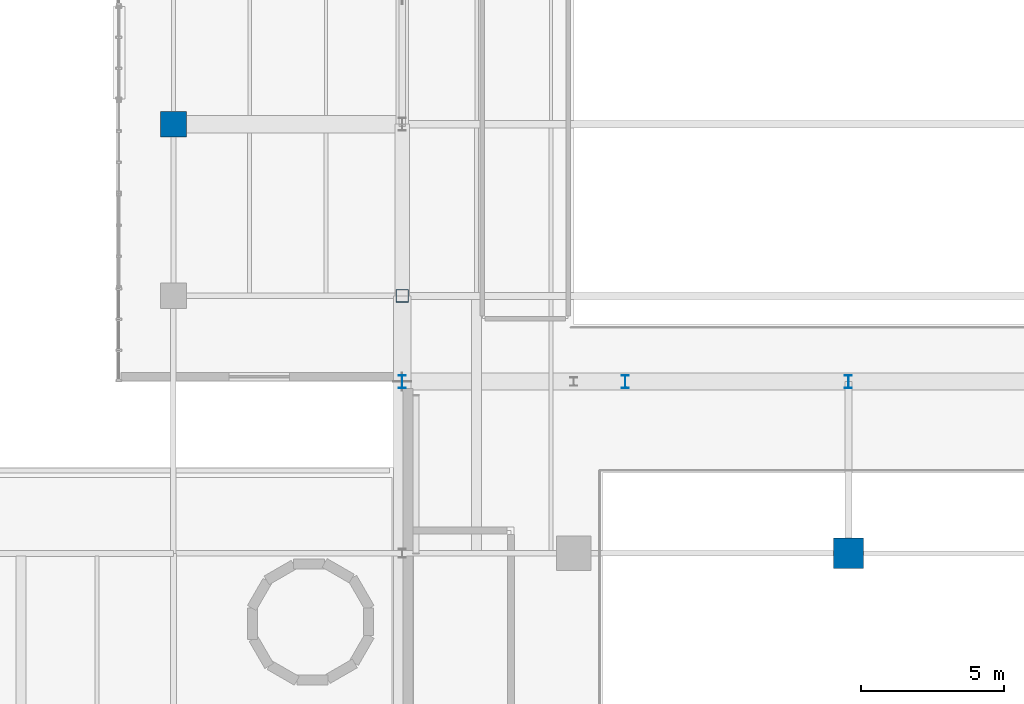
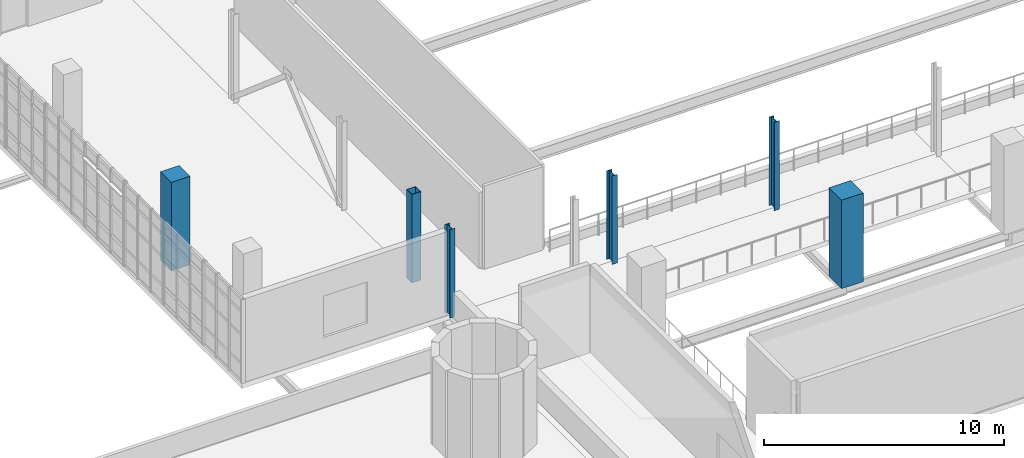
# One storey, part 2 of 85: 6 columns.
"""IFC4 building model written with IfcOpenShell, lengths in metres."""

from ifc_helpers import new_model, si_unit, derived_unit, direction, frame, origin, origin_2d, place, context, subcontext, project, spatial, rectangle, hollow_rectangle, i_section, extrude, material, material_profile, profile_set, type_object, element, save


model = new_model("IFC4")

# Units and contexts
model_context = context("Model", 3, precision=1e-05, world=origin(), true_north=direction((0.0, 1.0)))
body_context = subcontext(model_context, "Body", "Model", "MODEL_VIEW")
ifc_project = project(units=[si_unit("LENGTHUNIT", "METRE"), si_unit("AREAUNIT", "SQUARE_METRE"), si_unit("VOLUMEUNIT", "CUBIC_METRE"), si_unit("PLANEANGLEUNIT", "RADIAN"), si_unit("MASSUNIT", "GRAM", prefix="KILO"), derived_unit("THERMALTRANSMITTANCEUNIT", [(si_unit("POWERUNIT", "WATT"), 1), (si_unit("LENGTHUNIT", "METRE"), -2), (si_unit("THERMODYNAMICTEMPERATUREUNIT", "KELVIN"), -1)])], contexts=[model_context])

# Site, building, storey
site_placement = place(None, origin())
site = spatial("IfcSite", under=ifc_project, at=site_placement, CompositionType="ELEMENT")
building_placement = place(site_placement, origin())
building = spatial("IfcBuilding", under=site, at=building_placement, Name="Nallur Shell Playhouse", CompositionType="ELEMENT")
storey_placement = place(building_placement, frame((0.0, 0.0, 19.800048828125)))
storey = spatial("IfcBuildingStorey", under=building, at=storey_placement, Name="L05", CompositionType="ELEMENT", Elevation=19.800048828125)

# Columns
ifc_material_1 = material(Name="Concrete M45", Category="concrete")
ifc_material_profile_1 = material_profile(ifc_material_1, rectangle(XDim=1.050048828125, YDim=1.050048828125, at=origin_2d()), Name="RC 1050x1050")
ifc_profile_set_1 = profile_set([ifc_material_profile_1], Name="Concrete M45")
column_type_1 = type_object("IfcColumnType", Name="CL-RC-1050", PredefinedType="COLUMN", material=ifc_profile_set_1)
column_1_placement = place(storey_placement, frame((79.60009765625, 41.0, 0.0), z_axis=(0.0, 0.0, 1.0), x_axis=(1.0, 0.0, 0.0)))
element("IfcColumn", 1, at=column_1_placement, inside=storey, type_object=column_type_1, Name="Column MC2N (L05)", PredefinedType="COLUMN", context=body_context, shape_type="SweptSolid", body=[
    extrude(rectangle(XDim=1.050048828125, YDim=1.050048828125, at=origin_2d()), origin(), (0.0, 0.0, 1.0), 4.5),
])
ifc_material_2 = material(Name="Concrete M40", Category="concrete")
ifc_material_profile_2 = material_profile(ifc_material_2, rectangle(XDim=0.89990234375, YDim=0.89990234375, at=origin_2d()), Name="RC 900x900")
ifc_profile_set_2 = profile_set([ifc_material_profile_2], Name="Concrete M40")
column_type_2 = type_object("IfcColumnType", Name="CL-RC-900", PredefinedType="COLUMN", material=ifc_profile_set_2)
column_2_placement = place(storey_placement, frame((56.0, 56.0, 0.0), z_axis=(0.0, 0.0, 1.0), x_axis=(1.0, 0.0, 0.0)))
element("IfcColumn", 2, at=column_2_placement, inside=storey, type_object=column_type_2, Name="Column 7-G (L05)", PredefinedType="COLUMN", context=body_context, shape_type="SweptSolid", body=[
    extrude(rectangle(XDim=0.89990234375, YDim=0.89990234375, at=origin_2d()), origin(), (0.0, 0.0, 1.0), 4.5),
])
ifc_material_3 = material(Name="Steel E350", Category="steel")
ifc_material_profile_3 = material_profile(ifc_material_3, hollow_rectangle(XDim=0.449951171875, YDim=0.449951171875, WallThickness=0.02001953125, at=origin_2d()), Name="BOX 450x450x20")
ifc_profile_set_3 = profile_set([ifc_material_profile_3], Name="Steel E350")
column_type_3 = type_object("IfcColumnType", Name="CL-ST-BOX450", PredefinedType="COLUMN", material=ifc_profile_set_3)
column_3_placement = place(storey_placement, frame((64.0, 50.0, 0.0), z_axis=(0.0, 0.0, 1.0), x_axis=(1.0, 0.0, 0.0)))
element("IfcColumn", 3, at=column_3_placement, inside=storey, type_object=column_type_3, Name="Column 8-F (L05)", PredefinedType="COLUMN", context=body_context, shape_type="SweptSolid", body=[
    extrude(hollow_rectangle(XDim=0.449951171875, YDim=0.449951171875, WallThickness=0.02001953125, at=origin_2d()), origin(), (0.0, 0.0, 1.0), 4.5),
])
ifc_material_profile_4 = material_profile(ifc_material_3, i_section(OverallWidth=0.25, OverallDepth=0.449951171875, WebThickness=0.01123046875, FlangeThickness=0.013671875, FilletRadius=0.014892578125, at=origin_2d()), Name="ISHB 450")
ifc_profile_set_4 = profile_set([ifc_material_profile_4], Name="Steel E350")
column_type_4 = type_object("IfcColumnType", Name="CL-ST-ISHB450", PredefinedType="COLUMN", material=ifc_profile_set_4)
for number, where, z_axis, x_axis, name in (
    (4, (64.0, 47.0, 0.0), (0.0, 0.0, 1.0), (1.0, 0.0, 0.0), "Column PROSC-1 (L05)"),
    (5, (71.800048828125, 47.0, 0.0), (0.0, 0.0, 1.0), (1.0, 0.0, 0.0), "Column PROSC-2 (L05)"),
    (6, (79.60009765625, 47.0, 0.0), (0.0, 0.0, 1.0), (1.0, 0.0, 0.0), "Column PROSC-3 (L05)"),
):
    element("IfcColumn", number, at=place(storey_placement, frame(where, z_axis=z_axis, x_axis=x_axis)), inside=storey, type_object=column_type_4, Name=name, PredefinedType="COLUMN", context=body_context, shape_type="SweptSolid", body=[
        extrude(i_section(OverallWidth=0.25, OverallDepth=0.449951171875, WebThickness=0.01123046875, FlangeThickness=0.013671875, FilletRadius=0.014892578125, at=origin_2d()), origin(), (0.0, 0.0, 1.0), 4.5),
    ])

save(model, "model.ifc")
